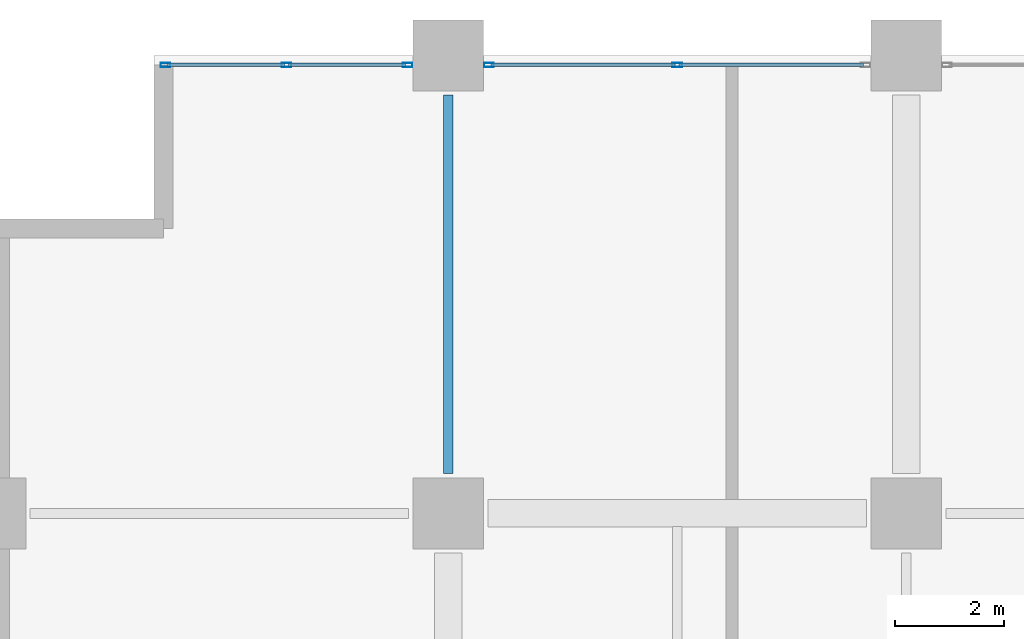
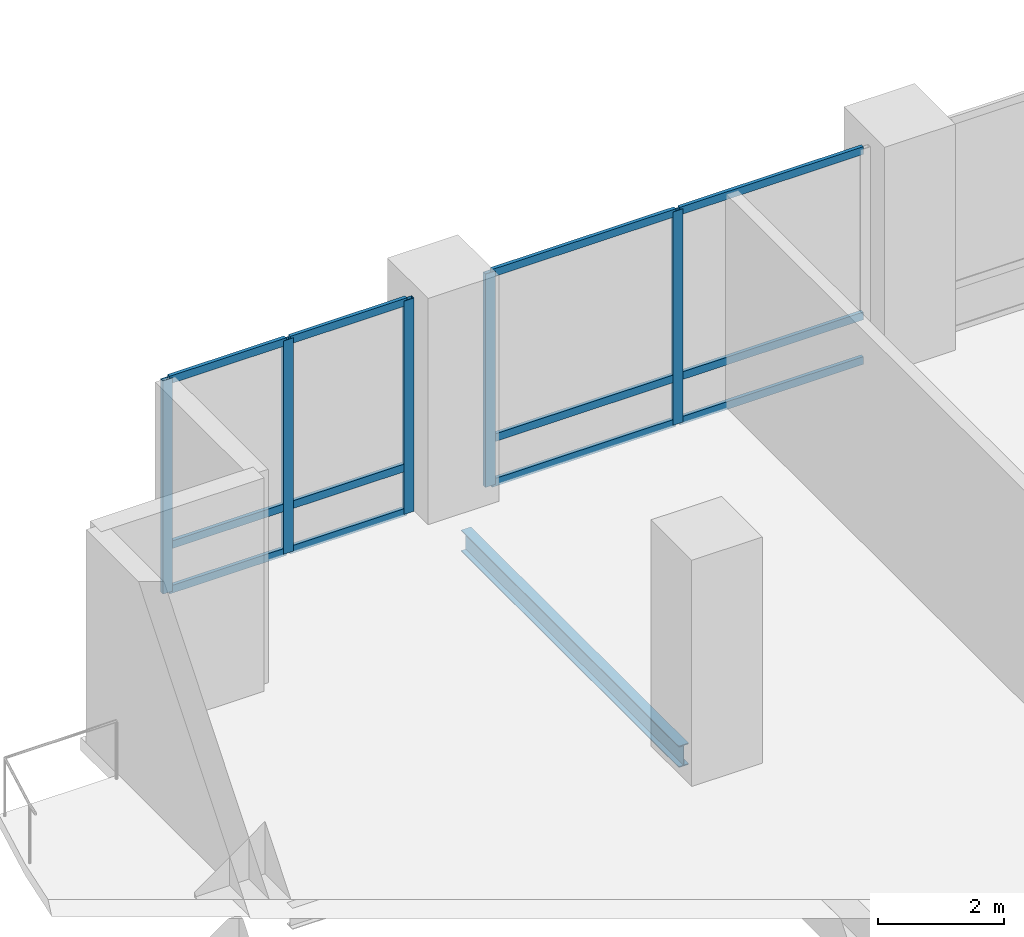
# One storey, part 3 of 21: 17 members, 1 beam, 2 elements without a shape of their own.
"""IFC4 building model written with IfcOpenShell, lengths in metres."""

from ifc_helpers import new_model, si_unit, direction, frame, origin, origin_2d, place, context, subcontext, project, spatial, hollow_rectangle, i_section, extrude, material, layer, layer_set, material_profile, profile_set, type_object, element, aggregate, save


model = new_model("IFC4")

# Units and contexts
model_context = context("Model", 3, precision=1e-05, world=origin(), true_north=direction((0.0, 1.0)))
body_context = subcontext(model_context, "Body", "Model", "MODEL_VIEW")
ifc_project = project(units=[si_unit("LENGTHUNIT", "METRE"), si_unit("AREAUNIT", "SQUARE_METRE"), si_unit("VOLUMEUNIT", "CUBIC_METRE"), si_unit("PLANEANGLEUNIT", "RADIAN"), si_unit("MASSUNIT", "GRAM", prefix="KILO")], contexts=[model_context])

# Site, building, storey
site_placement = place(None, origin())
site = spatial("IfcSite", under=ifc_project, at=site_placement, CompositionType="ELEMENT")
building_placement = place(site_placement, origin())
building = spatial("IfcBuilding", under=site, at=building_placement, Name="Koriwani Terraces Tower", CompositionType="ELEMENT")
storey_placement = place(building_placement, frame((0.0, 0.0, 85.199951171875)))
storey = spatial("IfcBuildingStorey", under=building, at=storey_placement, Name="L20", CompositionType="ELEMENT", Elevation=85.199951171875)

# Curtain wall, members
ifc_material_1 = material(Name="Anodised Bronze Aluminium", Category="aluminium")
ifc_layer = layer(ifc_material_1, 0.179931640625, Name="Anodised Bronze Aluminium")
ifc_layer_set = layer_set([ifc_layer], Name="Anodised Bronze Aluminium")
curtain_wall_type = type_object("IfcCurtainWallType", Name="CW_HOTEL_ZONE2", PredefinedType="NOTDEFINED", material=ifc_layer_set)
curtain_wall_1_placement = place(storey_placement, origin())
curtain_wall_1 = element("IfcCurtainWall", 1, at=curtain_wall_1_placement, inside=storey, type_object=curtain_wall_type, Name="L20 Unitised Curtain Wall (N_TIP) Bay 1", PredefinedType="NOTDEFINED")
ifc_material_profile_1 = material_profile(ifc_material_1, hollow_rectangle(XDim=0.074951171875, YDim=0.179931640625, WallThickness=0.006103515625, at=origin_2d()), Name="Anodised Bronze Aluminium", Category="LoadBearing")
ifc_profile_set_1 = profile_set([ifc_material_profile_1], Name="Anodised Bronze Aluminium")
member_type_1 = type_object("IfcMemberType", Name="CW_MULLION_180X75", PredefinedType="MULLION", material=ifc_profile_set_1)
member_1_placement = place(storey_placement, frame((3.21240234375, 92.22509765625, 0.0), z_axis=(0.0, 0.0, 1.0), x_axis=(0.0, 1.0, 0.0)))
member_1 = element("IfcMember", 2, at=member_1_placement, type_object=member_type_1, Name="CW-Z2 mullion 1", PredefinedType="MULLION", context=body_context, shape_type="SweptSolid", body=[
    extrude(hollow_rectangle(XDim=0.074951171875, YDim=0.179931640625, WallThickness=0.006103515625, at=origin_2d()), origin(), (0.0, 0.0, 1.0), 4.150146484375),
])
member_2_placement = place(storey_placement, frame((5.4326171875, 92.22509765625, 0.0), z_axis=(0.0, 0.0, 1.0), x_axis=(0.0, 1.0, 0.0)))
member_2 = element("IfcMember", 3, at=member_2_placement, type_object=member_type_1, Name="CW-Z2 mullion 2", PredefinedType="MULLION", context=body_context, shape_type="SweptSolid", body=[
    extrude(hollow_rectangle(XDim=0.074951171875, YDim=0.179931640625, WallThickness=0.006103515625, at=origin_2d()), origin(), (0.0, 0.0, 1.0), 4.150146484375),
])
member_3_placement = place(storey_placement, frame((7.652587890625, 92.22509765625, 0.0), z_axis=(0.0, 0.0, 1.0), x_axis=(0.0, 1.0, 0.0)))
member_3 = element("IfcMember", 4, at=member_3_placement, type_object=member_type_1, Name="CW-Z2 mullion 3", PredefinedType="MULLION", context=body_context, shape_type="SweptSolid", body=[
    extrude(hollow_rectangle(XDim=0.074951171875, YDim=0.179931640625, WallThickness=0.006103515625, at=origin_2d()), origin(), (0.0, 0.0, 1.0), 4.150146484375),
])

curtain_wall_2_placement = place(storey_placement, origin())
curtain_wall_2 = element("IfcCurtainWall", 5, at=curtain_wall_2_placement, inside=storey, type_object=curtain_wall_type, Name="L20 Unitised Curtain Wall (N_TIP) Bay 2", PredefinedType="NOTDEFINED")
member_4_placement = place(storey_placement, frame((9.1474609375, 92.22509765625, 0.0), z_axis=(0.0, 0.0, 1.0), x_axis=(0.0, 1.0, 0.0)))
member_4 = element("IfcMember", 6, at=member_4_placement, type_object=member_type_1, Name="CW-Z2 mullion 1", PredefinedType="MULLION", context=body_context, shape_type="SweptSolid", body=[
    extrude(hollow_rectangle(XDim=0.074951171875, YDim=0.179931640625, WallThickness=0.006103515625, at=origin_2d()), origin(), (0.0, 0.0, 1.0), 4.150146484375),
])
member_5_placement = place(storey_placement, frame((12.60009765625, 92.22509765625, 0.0), z_axis=(0.0, 0.0, 1.0), x_axis=(0.0, 1.0, 0.0)))
member_5 = element("IfcMember", 7, at=member_5_placement, type_object=member_type_1, Name="CW-Z2 mullion 2", PredefinedType="MULLION", context=body_context, shape_type="SweptSolid", body=[
    extrude(hollow_rectangle(XDim=0.074951171875, YDim=0.179931640625, WallThickness=0.006103515625, at=origin_2d()), origin(), (0.0, 0.0, 1.0), 4.150146484375),
])

# Member
ifc_material_profile_2 = material_profile(ifc_material_1, hollow_rectangle(XDim=0.06494140625, YDim=0.14990234375, WallThickness=0.0048828125, at=origin_2d()), Name="Anodised Bronze Aluminium", Category="LoadBearing")
ifc_profile_set_2 = profile_set([ifc_material_profile_2], Name="Anodised Bronze Aluminium")
member_type_2 = type_object("IfcMemberType", Name="CW_TRANSOM_150X65", PredefinedType="USERDEFINED", material=ifc_profile_set_2)
member_6_placement = place(storey_placement, frame((3.25, 92.22509765625, 0.032470703125), z_axis=(1.0, 0.0, 0.0), x_axis=(0.0, 1.0, 0.0)))
member_6 = element("IfcMember", 8, at=member_6_placement, type_object=member_type_2, Name="CW-Z2 transom 1.1", ObjectType="TRANSOM", PredefinedType="USERDEFINED", context=body_context, shape_type="SweptSolid", body=[
    extrude(hollow_rectangle(XDim=0.06494140625, YDim=0.14990234375, WallThickness=0.0048828125, at=origin_2d()), origin(), (0.0, 0.0, 1.0), 2.14501953125),
])

member_7_placement = place(storey_placement, frame((3.25, 92.22509765625, 0.900146484375), z_axis=(1.0, 0.0, 0.0), x_axis=(0.0, 1.0, 0.0)))
member_7 = element("IfcMember", 9, at=member_7_placement, type_object=member_type_2, Name="CW-Z2 transom 1.2", ObjectType="TRANSOM", PredefinedType="USERDEFINED", context=body_context, shape_type="SweptSolid", body=[
    extrude(hollow_rectangle(XDim=0.06494140625, YDim=0.14990234375, WallThickness=0.0048828125, at=origin_2d()), origin(), (0.0, 0.0, 1.0), 2.14501953125),
])

member_8_placement = place(storey_placement, frame((3.25, 92.22509765625, 4.117431640625), z_axis=(1.0, 0.0, 0.0), x_axis=(0.0, 1.0, 0.0)))
member_8 = element("IfcMember", 10, at=member_8_placement, type_object=member_type_2, Name="CW-Z2 transom 1.3", ObjectType="TRANSOM", PredefinedType="USERDEFINED", context=body_context, shape_type="SweptSolid", body=[
    extrude(hollow_rectangle(XDim=0.06494140625, YDim=0.14990234375, WallThickness=0.0048828125, at=origin_2d()), origin(), (0.0, 0.0, 1.0), 2.14501953125),
])

member_9_placement = place(storey_placement, frame((5.469970703125, 92.22509765625, 0.032470703125), z_axis=(1.0, 0.0, 0.0), x_axis=(0.0, 1.0, 0.0)))
member_9 = element("IfcMember", 11, at=member_9_placement, type_object=member_type_2, Name="CW-Z2 transom 2.1", ObjectType="TRANSOM", PredefinedType="USERDEFINED", context=body_context, shape_type="SweptSolid", body=[
    extrude(hollow_rectangle(XDim=0.06494140625, YDim=0.14990234375, WallThickness=0.0048828125, at=origin_2d()), origin(), (0.0, 0.0, 1.0), 2.14501953125),
])

member_10_placement = place(storey_placement, frame((5.469970703125, 92.22509765625, 0.900146484375), z_axis=(1.0, 0.0, 0.0), x_axis=(0.0, 1.0, 0.0)))
member_10 = element("IfcMember", 12, at=member_10_placement, type_object=member_type_2, Name="CW-Z2 transom 2.2", ObjectType="TRANSOM", PredefinedType="USERDEFINED", context=body_context, shape_type="SweptSolid", body=[
    extrude(hollow_rectangle(XDim=0.06494140625, YDim=0.14990234375, WallThickness=0.0048828125, at=origin_2d()), origin(), (0.0, 0.0, 1.0), 2.14501953125),
])

member_11_placement = place(storey_placement, frame((5.469970703125, 92.22509765625, 4.117431640625), z_axis=(1.0, 0.0, 0.0), x_axis=(0.0, 1.0, 0.0)))
member_11 = element("IfcMember", 13, at=member_11_placement, type_object=member_type_2, Name="CW-Z2 transom 2.3", ObjectType="TRANSOM", PredefinedType="USERDEFINED", context=body_context, shape_type="SweptSolid", body=[
    extrude(hollow_rectangle(XDim=0.06494140625, YDim=0.14990234375, WallThickness=0.0048828125, at=origin_2d()), origin(), (0.0, 0.0, 1.0), 2.14501953125),
])

aggregate(curtain_wall_1, [member_1, member_2, member_3, member_6, member_7, member_8, member_9, member_10, member_11])

member_12_placement = place(storey_placement, frame((9.18505859375, 92.22509765625, 0.032470703125), z_axis=(1.0, 0.0, 0.0), x_axis=(0.0, 1.0, 0.0)))
member_12 = element("IfcMember", 14, at=member_12_placement, type_object=member_type_2, Name="CW-Z2 transom 1.1", ObjectType="TRANSOM", PredefinedType="USERDEFINED", context=body_context, shape_type="SweptSolid", body=[
    extrude(hollow_rectangle(XDim=0.06494140625, YDim=0.14990234375, WallThickness=0.0048828125, at=origin_2d()), origin(), (0.0, 0.0, 1.0), 3.37744140625),
])

member_13_placement = place(storey_placement, frame((9.18505859375, 92.22509765625, 0.900146484375), z_axis=(1.0, 0.0, 0.0), x_axis=(0.0, 1.0, 0.0)))
member_13 = element("IfcMember", 15, at=member_13_placement, type_object=member_type_2, Name="CW-Z2 transom 1.2", ObjectType="TRANSOM", PredefinedType="USERDEFINED", context=body_context, shape_type="SweptSolid", body=[
    extrude(hollow_rectangle(XDim=0.06494140625, YDim=0.14990234375, WallThickness=0.0048828125, at=origin_2d()), origin(), (0.0, 0.0, 1.0), 3.37744140625),
])

member_14_placement = place(storey_placement, frame((9.18505859375, 92.22509765625, 4.117431640625), z_axis=(1.0, 0.0, 0.0), x_axis=(0.0, 1.0, 0.0)))
member_14 = element("IfcMember", 16, at=member_14_placement, type_object=member_type_2, Name="CW-Z2 transom 1.3", ObjectType="TRANSOM", PredefinedType="USERDEFINED", context=body_context, shape_type="SweptSolid", body=[
    extrude(hollow_rectangle(XDim=0.06494140625, YDim=0.14990234375, WallThickness=0.0048828125, at=origin_2d()), origin(), (0.0, 0.0, 1.0), 3.37744140625),
])

member_15_placement = place(storey_placement, frame((12.637451171875, 92.22509765625, 0.032470703125), z_axis=(1.0, 0.0, 0.0), x_axis=(0.0, 1.0, 0.0)))
member_15 = element("IfcMember", 17, at=member_15_placement, type_object=member_type_2, Name="CW-Z2 transom 2.1", ObjectType="TRANSOM", PredefinedType="USERDEFINED", context=body_context, shape_type="SweptSolid", body=[
    extrude(hollow_rectangle(XDim=0.06494140625, YDim=0.14990234375, WallThickness=0.0048828125, at=origin_2d()), origin(), (0.0, 0.0, 1.0), 3.37744140625),
])

member_16_placement = place(storey_placement, frame((12.637451171875, 92.22509765625, 0.900146484375), z_axis=(1.0, 0.0, 0.0), x_axis=(0.0, 1.0, 0.0)))
member_16 = element("IfcMember", 18, at=member_16_placement, type_object=member_type_2, Name="CW-Z2 transom 2.2", ObjectType="TRANSOM", PredefinedType="USERDEFINED", context=body_context, shape_type="SweptSolid", body=[
    extrude(hollow_rectangle(XDim=0.06494140625, YDim=0.14990234375, WallThickness=0.0048828125, at=origin_2d()), origin(), (0.0, 0.0, 1.0), 3.37744140625),
])

member_17_placement = place(storey_placement, frame((12.637451171875, 92.22509765625, 4.117431640625), z_axis=(1.0, 0.0, 0.0), x_axis=(0.0, 1.0, 0.0)))
member_17 = element("IfcMember", 19, at=member_17_placement, type_object=member_type_2, Name="CW-Z2 transom 2.3", ObjectType="TRANSOM", PredefinedType="USERDEFINED", context=body_context, shape_type="SweptSolid", body=[
    extrude(hollow_rectangle(XDim=0.06494140625, YDim=0.14990234375, WallThickness=0.0048828125, at=origin_2d()), origin(), (0.0, 0.0, 1.0), 3.37744140625),
])

aggregate(curtain_wall_2, [member_4, member_5, member_12, member_13, member_14, member_15, member_16, member_17])

# Beam
ifc_material_2 = material(Name="Steel ASTM A572 Grade 50", Category="steel")
ifc_material_profile_3 = material_profile(ifc_material_2, i_section(OverallWidth=0.180908203125, OverallDepth=0.4169921875, WebThickness=0.010986328125, FlangeThickness=0.018310546875, at=origin_2d()), Name="Steel ASTM A572 Grade 50", Category="LoadBearing")
ifc_profile_set_3 = profile_set([ifc_material_profile_3], Name="Steel ASTM A572 Grade 50")
beam_type = type_object("IfcBeamType", Name="STEEL_BEAM_W410X85", PredefinedType="JOIST", material=ifc_profile_set_3)
beam_placement = place(storey_placement, frame((8.39990234375, 84.72998046875, -0.45849609375), z_axis=(0.0, 1.0, 0.0), x_axis=(-1.0, 0.0, 0.0)))
element("IfcBeam", 20, at=beam_placement, inside=storey, type_object=beam_type, Name="L20 Grid Beam 2 (84.0-92.4m)", PredefinedType="JOIST", context=body_context, shape_type="SweptSolid", body=[
    extrude(i_section(OverallWidth=0.180908203125, OverallDepth=0.4169921875, WebThickness=0.010986328125, FlangeThickness=0.018310546875, at=origin_2d()), origin(), (0.0, 0.0, 1.0), 6.93994140625),
])

save(model, "model.ifc")
